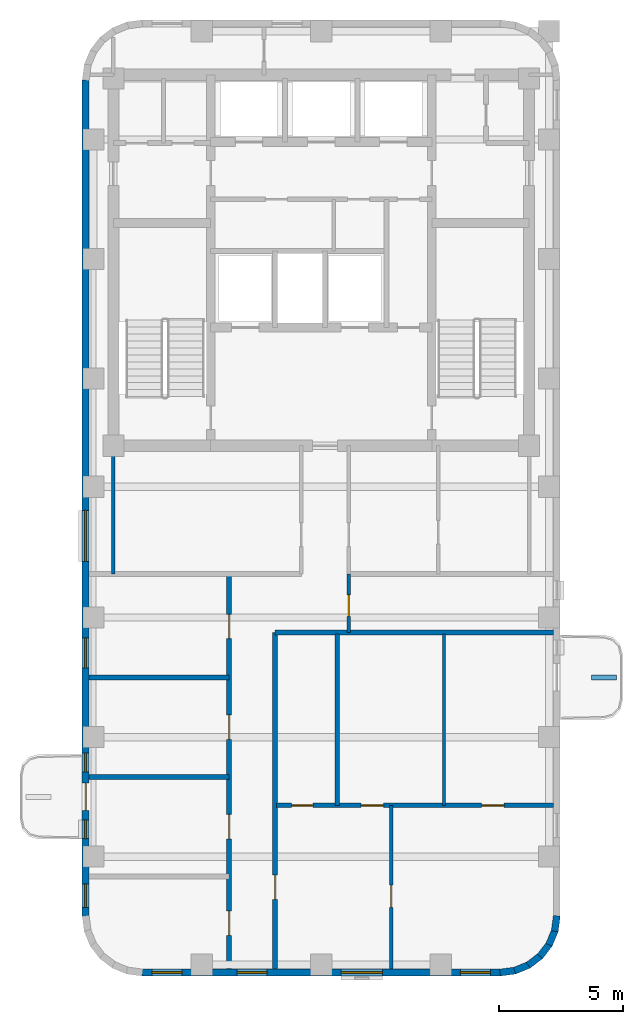
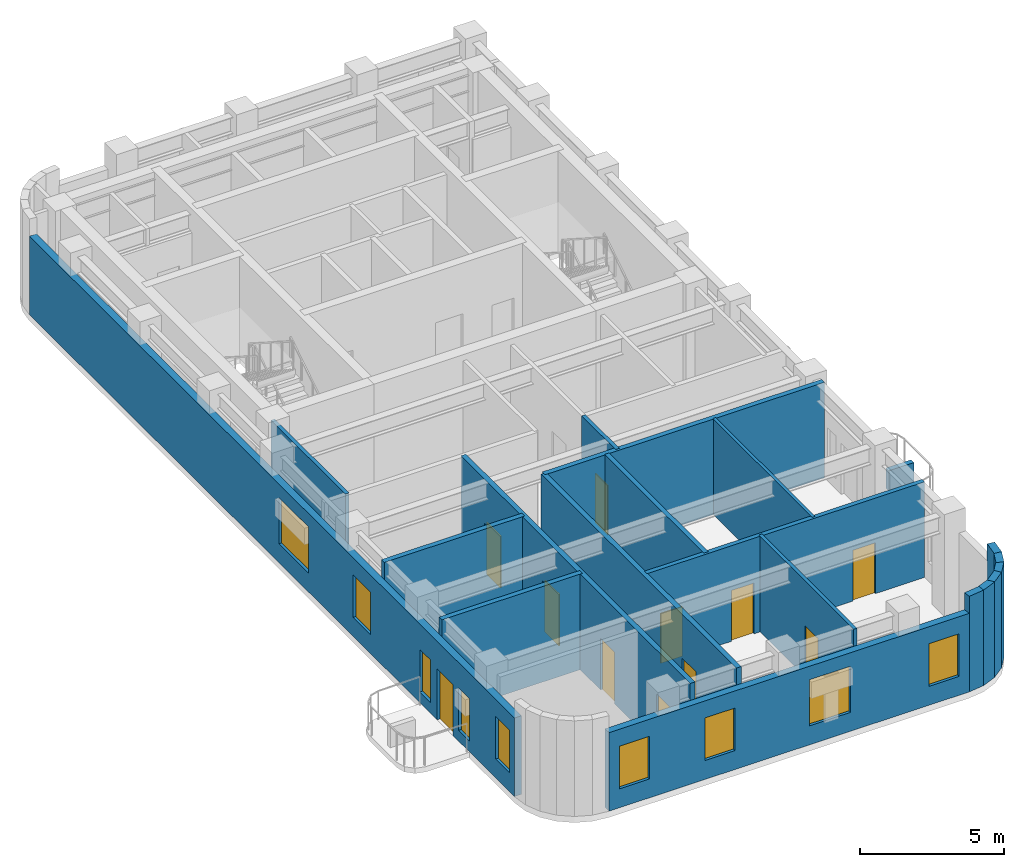
# One storey, part 2 of 6: 20 walls, 11 doors, 9 windows, 20 openings.
"""IFC4 building model written with IfcOpenShell, lengths in metres."""

import ifcopenshell
import ifcopenshell.guid

model = None  # the IFC model being written
_history = None  # IfcOwnerHistory: only IFC2X3 demands one
_inside = {}  # id of a spatial element -> (the spatial element, [elements in it])
_under = {}  # id of a project, library or spatial element -> (it, [spatial elements below it])
_declared = {}  # id of a project -> (the project, [libraries it declares])
_typed = {}  # id of a type object -> (the type object, [elements of that type])
_made_of = {}  # id of a material, layer set ... -> (it, [elements and type objects made of it])


def new_model(schema):
    """Start an empty IFC model of exactly this schema.

    Asked for "IFC4X3", IfcOpenShell would pick the latest addendum, in which some entities
    have other attributes; the version numbers below select the first issue.
    IFC2X3 requires an IfcOwnerHistory on every rooted entity: one is made here for all.
    """
    global model, _history
    if schema == "IFC4X3":
        model = ifcopenshell.file(schema_version=(4, 3, 0, 0))
    else:
        model = ifcopenshell.file(schema=schema)
    _inside.clear()
    _under.clear()
    _declared.clear()
    _typed.clear()
    _made_of.clear()
    _history = None
    if model.schema == "IFC2X3":
        org = make("IfcOrganization", Name="unknown")
        user = make(
            "IfcPersonAndOrganization",
            ThePerson=make("IfcPerson", FamilyName="unknown"),
            TheOrganization=org,
        )
        app = make(
            "IfcApplication",
            ApplicationDeveloper=org,
            Version="unknown",
            ApplicationFullName="unknown",
            ApplicationIdentifier="unknown",
        )
        _history = make(
            "IfcOwnerHistory",
            OwningUser=user,
            OwningApplication=app,
            ChangeAction="ADDED",
            CreationDate=0,
        )
    return model


def make(cls, **values):
    """One entity of the class cls with the attributes given. An attribute that is None is left unset."""
    return model.create_entity(
        cls, **{name: value for name, value in values.items() if value is not None}
    )


def rooted(cls, **values):
    """An entity with a GlobalId (a new one), such as an element, a storey or a relation."""
    return make(cls, GlobalId=ifcopenshell.guid.new(), OwnerHistory=_history, **values)


def si_unit(unit_type, name, prefix=None):
    """IfcSIUnit, for example si_unit("LENGTHUNIT", "METRE", prefix="MILLI")."""
    return make("IfcSIUnit", UnitType=unit_type, Prefix=prefix, Name=name)


def assignment(units):
    """IfcUnitAssignment: the units of a project."""
    return None if units is None else make("IfcUnitAssignment", Units=units)


def point(xyz):
    """IfcCartesianPoint."""
    return None if xyz is None else make("IfcCartesianPoint", Coordinates=xyz)


def direction(xyz):
    """IfcDirection."""
    return None if xyz is None else make("IfcDirection", DirectionRatios=xyz)


def frame(location, z_axis=None, x_axis=None):
    """IfcAxis2Placement3D, a coordinate frame: its origin and axes. An axis left out is left unset."""
    return make(
        "IfcAxis2Placement3D",
        Location=point(location),
        Axis=direction(z_axis),
        RefDirection=direction(x_axis),
    )


def frame_2d(location, x_axis=None):
    """IfcAxis2Placement2D, a coordinate frame in the plane: its origin and x axis."""
    return make(
        "IfcAxis2Placement2D", Location=point(location), RefDirection=direction(x_axis)
    )


def origin():
    """The frame at (0, 0, 0) with its axes left unset."""
    return frame((0.0, 0.0, 0.0))


def place(relative_to, where):
    """IfcLocalPlacement: puts the frame where relative to a parent placement (None: the world)."""
    return make(
        "IfcLocalPlacement", PlacementRelTo=relative_to, RelativePlacement=where
    )


def context(
    kind, dimensions, precision=None, world=None, true_north=None, identifier=None
):
    """IfcGeometricRepresentationContext, for example the 3D "Model" context."""
    return make(
        "IfcGeometricRepresentationContext",
        ContextIdentifier=identifier,
        ContextType=kind,
        CoordinateSpaceDimension=dimensions,
        Precision=precision,
        WorldCoordinateSystem=world,
        TrueNorth=true_north,
    )


def subcontext(parent, identifier, kind, view, scale=None):
    """IfcGeometricRepresentationSubContext, for example "Body" below "Model"."""
    return make(
        "IfcGeometricRepresentationSubContext",
        ContextIdentifier=identifier,
        ContextType=kind,
        ParentContext=parent,
        TargetScale=scale,
        TargetView=view,
    )


def project(units=None, contexts=None):
    """IfcProject with its units and contexts."""
    return rooted(
        "IfcProject",
        Name="project",
        RepresentationContexts=contexts,
        UnitsInContext=assignment(units),
    )


def spatial(cls, under=None, at=None, **own):
    """A site, building, storey or space (cls), placed at a placement, below another one or the project."""
    s = rooted(cls, ObjectPlacement=at, **own)
    if under is not None:
        _under.setdefault(under.id(), (under, []))[1].append(s)
    return s


def profile(cls, at=None, kind="AREA", **sizes):
    """A parametric profile (cls). Its sizes go by their IFC names, for example OverallWidth=200.0."""
    return make(cls, ProfileType=kind, Position=at, **sizes)


def rectangle(**sizes):
    """IfcRectangleProfileDef."""
    return profile("IfcRectangleProfileDef", **sizes)


def extrude(swept, where, along, depth):
    """IfcExtrudedAreaSolid: the profile swept, set in the frame where, extruded along a direction by depth."""
    return make(
        "IfcExtrudedAreaSolid",
        SweptArea=swept,
        Position=where,
        ExtrudedDirection=direction(along),
        Depth=depth,
    )


def shape(context_of_items, identifier, shape_type, items):
    """IfcShapeRepresentation: the items that make up one representation, for example the "Body"."""
    return make(
        "IfcShapeRepresentation",
        ContextOfItems=context_of_items,
        RepresentationIdentifier=identifier,
        RepresentationType=shape_type,
        Items=items,
    )


def material(Name=None, Category=None):
    """IfcMaterial."""
    return make("IfcMaterial", Name=Name, Category=Category)


def layer(
    of_material, thickness, ventilated=None, Name=None, Category=None, Priority=None
):
    """IfcMaterialLayer: one layer of a wall or slab, of a material (None: an air gap)."""
    return make(
        "IfcMaterialLayer",
        Material=of_material,
        LayerThickness=thickness,
        IsVentilated=ventilated,
        Name=Name,
        Category=Category,
        Priority=Priority,
    )


def layer_set(layers, Name=None):
    """IfcMaterialLayerSet."""
    return make("IfcMaterialLayerSet", MaterialLayers=layers, LayerSetName=Name)


def made_of(thing, what):
    """Note that an element or type object is made of a material, layer set ...; save() writes the relation."""
    if what is not None:
        _made_of.setdefault(what.id(), (what, []))[1].append(thing)
    return thing


def type_object(cls, material=None, **own):
    """A type object (cls), such as IfcWallType, which elements share."""
    return made_of(rooted(cls, **own), material)


def element(
    cls,
    number,
    at=None,
    inside=None,
    cuts=None,
    type_object=None,
    material=None,
    context=None,
    identifier="Body",
    shape_type=None,
    held_by="IfcProductDefinitionShape",
    body=None,
    shapes=None,
    **own,
):
    """One element of the class cls, such as IfcWall. Its Tag is "e" and its number.

    at: its placement. inside: the storey or other place that contains it. cuts: it is an
    opening in that element (IfcRelVoidsElement). A single representation is given by context,
    identifier, shape_type and body (its items); several are given by shapes. held_by: the class
    of the entity that holds the representations. save() writes the other relations.
    """
    e = rooted(cls, Tag="e%d" % number, ObjectPlacement=at, **own)
    if body is not None:
        shapes = [shape(context, identifier, shape_type, body)]
    if shapes is not None:
        e.Representation = make(held_by, Representations=shapes)
    if inside is not None:
        _inside.setdefault(inside.id(), (inside, []))[1].append(e)
    if cuts is not None:
        rooted(
            "IfcRelVoidsElement", RelatingBuildingElement=cuts, RelatedOpeningElement=e
        )
    if type_object is not None:
        _typed.setdefault(type_object.id(), (type_object, []))[1].append(e)
    return made_of(e, material)


def fill(opening, filler):
    """IfcRelFillsElement: the door or window that sits in an opening."""
    return rooted(
        "IfcRelFillsElement",
        RelatingOpeningElement=opening,
        RelatedBuildingElement=filler,
    )


def aggregate(whole, parts):
    """IfcRelAggregates: a whole, such as a stair, and the parts it consists of."""
    return rooted("IfcRelAggregates", RelatingObject=whole, RelatedObjects=parts)


def save(model, path):
    """Write the relations noted so far, then the file.

    IfcRelAggregates (storeys below a building ...), IfcRelContainedInSpatialStructure (elements
    in a storey), IfcRelDefinesByType, IfcRelAssociatesMaterial and IfcRelDeclares: one each for
    every whole, place, type object, material and project.
    """
    for whole, parts in _under.values():
        aggregate(whole, parts)
    for where, things in _inside.values():
        rooted(
            "IfcRelContainedInSpatialStructure",
            RelatedElements=things,
            RelatingStructure=where,
        )
    for kind, things in _typed.values():
        rooted("IfcRelDefinesByType", RelatedObjects=things, RelatingType=kind)
    for what, things in _made_of.values():
        rooted("IfcRelAssociatesMaterial", RelatedObjects=things, RelatingMaterial=what)
    for by, libraries in _declared.values():
        rooted("IfcRelDeclares", RelatingContext=by, RelatedDefinitions=libraries)
    model.write(path)


model = new_model("IFC4")

# Units and contexts
model_context = context("Model", 3, precision=1e-05, world=origin(), true_north=direction((0.0, 1.0)))
body_context = subcontext(model_context, "Body", "Model", "MODEL_VIEW")
ifc_project = project(units=[si_unit("LENGTHUNIT", "METRE"), si_unit("AREAUNIT", "SQUARE_METRE"), si_unit("VOLUMEUNIT", "CUBIC_METRE"), si_unit("PLANEANGLEUNIT", "RADIAN"), si_unit("MASSUNIT", "GRAM", prefix="KILO")], contexts=[model_context])

# Site, building, storey
site_placement = place(None, origin())
site = spatial("IfcSite", under=ifc_project, at=site_placement, CompositionType="ELEMENT")
building_placement = place(site_placement, origin())
building = spatial("IfcBuilding", under=site, at=building_placement, Name="Orvandelia Arch Residences", CompositionType="ELEMENT")
storey_placement = place(building_placement, frame((0.0, 0.0, 244.10009765625)))
storey = spatial("IfcBuildingStorey", under=building, at=storey_placement, Name="L64", CompositionType="ELEMENT", Elevation=244.10009765625)

# Wall, openings, doors
ifc_material_1 = material(Name="Fire-Rated Corridor Partition")
ifc_layer_1 = layer(ifc_material_1, 0.199951171875, Name="Fire-Rated Corridor Partition")
ifc_layer_set_1 = layer_set([ifc_layer_1], Name="Fire-Rated Corridor Partition")
wall_type_1 = type_object("IfcWallType", Name="WL-CORR-200", PredefinedType="PARTITIONING", material=ifc_layer_set_1)
wall_1_placement = place(storey_placement, frame((10.699951171875, 9.8798828125, 0.0), z_axis=(0.0, 0.0, 1.0), x_axis=(0.0, 1.0, 0.0)))
wall_1 = element("IfcWall", 1, at=wall_1_placement, inside=storey, type_object=wall_type_1, Name="Interior Partition Wall WL-L64-WC-W", PredefinedType="PARTITIONING", context=body_context, shape_type="SweptSolid", body=[
    extrude(rectangle(XDim=15.8701171875, YDim=0.199951171875, at=frame_2d((7.93505859375, 0.0))), origin(), (0.0, 0.0, 1.0), 4.039794921875),
])
opening_1_placement = place(wall_1_placement, frame((1.35009765625, 0.0, 0.0)))
opening_1 = element("IfcOpeningElement", 2, at=opening_1_placement, cuts=wall_1, Name="Opening D1", PredefinedType="OPENING", context=body_context, shape_type="SweptSolid", body=[
    extrude(rectangle(XDim=0.97998046875, YDim=2.179931640625, at=frame_2d((0.489990234375, 1.08984375))), frame((0.0, 0.10986328125, 0.0), z_axis=(0.0, -1.0, 0.0), x_axis=(1.0, 0.0, 0.0)), (0.0, 0.0, 1.0), 0.219970703125),
])
opening_2_placement = place(wall_1_placement, frame((5.22998046875, 0.0, 0.0)))
opening_2 = element("IfcOpeningElement", 3, at=opening_2_placement, cuts=wall_1, Name="Opening D1", PredefinedType="OPENING", context=body_context, shape_type="SweptSolid", body=[
    extrude(rectangle(XDim=0.97998046875, YDim=2.179931640625, at=frame_2d((0.489990234375, 1.08984375))), frame((0.0, 0.10986328125, 0.0), z_axis=(0.0, -1.0, 0.0), x_axis=(1.0, 0.0, 0.0)), (0.0, 0.0, 1.0), 0.219970703125),
])
opening_3_placement = place(wall_1_placement, frame((9.22998046875, 0.0, 0.0)))
opening_3 = element("IfcOpeningElement", 4, at=opening_3_placement, cuts=wall_1, Name="Opening D1", PredefinedType="OPENING", context=body_context, shape_type="SweptSolid", body=[
    extrude(rectangle(XDim=0.97998046875, YDim=2.179931640625, at=frame_2d((0.489990234375, 1.08984375))), frame((0.0, 0.10986328125, 0.0), z_axis=(0.0, -1.0, 0.0), x_axis=(1.0, 0.0, 0.0)), (0.0, 0.0, 1.0), 0.219970703125),
])
opening_4_placement = place(wall_1_placement, frame((13.27001953125, 0.0, 0.0)))
opening_4 = element("IfcOpeningElement", 5, at=opening_4_placement, cuts=wall_1, Name="Opening D1", PredefinedType="OPENING", context=body_context, shape_type="SweptSolid", body=[
    extrude(rectangle(XDim=0.97998046875, YDim=2.179931640625, at=frame_2d((0.489990234375, 1.08984375))), frame((0.0, 0.10986328125, 0.0), z_axis=(0.0, -1.0, 0.0), x_axis=(1.0, 0.0, 0.0)), (0.0, 0.0, 1.0), 0.219970703125),
])
ifc_material_2 = material(Name="Solid-Core Timber Acoustic Fire Door", Category="wood")
door_type_1 = type_object("IfcDoorType", Name="DR-ENT-980", OperationType="NOTDEFINED", PredefinedType="DOOR", material=ifc_material_2)
door_1_placement = place(opening_1_placement, origin())
door_1 = element("IfcDoor", 6, at=door_1_placement, inside=storey, type_object=door_type_1, Name="Unit L64-01 Study Door", OperationType="SINGLE_SWING_LEFT", OverallHeight=2.179931640625, OverallWidth=0.97998046875, PredefinedType="DOOR", context=body_context, shape_type="SweptSolid", body=[
    extrude(rectangle(XDim=0.97998046875, YDim=2.179931640625, at=frame_2d((0.489990234375, 1.08984375))), frame((0.0, 0.02490234375, 0.0), z_axis=(0.0, -1.0, 0.0), x_axis=(1.0, 0.0, 0.0)), (0.0, 0.0, 1.0), 0.050048828125),
])
fill(opening_1, door_1)
door_2_placement = place(opening_2_placement, origin())
door_2 = element("IfcDoor", 7, at=door_2_placement, inside=storey, type_object=door_type_1, Name="Unit L64-02 Study Door", OperationType="SINGLE_SWING_RIGHT", OverallHeight=2.179931640625, OverallWidth=0.97998046875, PredefinedType="DOOR", context=body_context, shape_type="SweptSolid", body=[
    extrude(rectangle(XDim=0.97998046875, YDim=2.179931640625, at=frame_2d((0.489990234375, 1.08984375))), frame((0.0, 0.02490234375, 0.0), z_axis=(0.0, -1.0, 0.0), x_axis=(1.0, 0.0, 0.0)), (0.0, 0.0, 1.0), 0.050048828125),
])
fill(opening_2, door_2)
door_3_placement = place(opening_3_placement, origin())
door_3 = element("IfcDoor", 8, at=door_3_placement, inside=storey, type_object=door_type_1, Name="Unit L64-03 Study Door", OperationType="SINGLE_SWING_LEFT", OverallHeight=2.179931640625, OverallWidth=0.97998046875, PredefinedType="DOOR", context=body_context, shape_type="SweptSolid", body=[
    extrude(rectangle(XDim=0.97998046875, YDim=2.179931640625, at=frame_2d((0.489990234375, 1.08984375))), frame((0.0, 0.02490234375, 0.0), z_axis=(0.0, -1.0, 0.0), x_axis=(1.0, 0.0, 0.0)), (0.0, 0.0, 1.0), 0.050048828125),
])
fill(opening_3, door_3)
door_4_placement = place(opening_4_placement, origin())
door_4 = element("IfcDoor", 9, at=door_4_placement, inside=storey, type_object=door_type_1, Name="Unit L64-04 Study Door", OperationType="SINGLE_SWING_RIGHT", OverallHeight=2.179931640625, OverallWidth=0.97998046875, PredefinedType="DOOR", context=body_context, shape_type="SweptSolid", body=[
    extrude(rectangle(XDim=0.97998046875, YDim=2.179931640625, at=frame_2d((0.489990234375, 1.08984375))), frame((0.0, 0.02490234375, 0.0), z_axis=(0.0, -1.0, 0.0), x_axis=(1.0, 0.0, 0.0)), (0.0, 0.0, 1.0), 0.050048828125),
])
fill(opening_4, door_4)

# Wall, opening, door
wall_2_placement = place(storey_placement, frame((12.550048828125, 9.8798828125, 0.0), z_axis=(0.0, 0.0, 1.0), x_axis=(0.0, 1.0, 0.0)))
wall_2 = element("IfcWall", 10, at=wall_2_placement, inside=storey, type_object=wall_type_1, Name="Interior Partition Wall WL-L64-WC-E", PredefinedType="PARTITIONING", context=body_context, shape_type="SweptSolid", body=[
    extrude(rectangle(XDim=13.52001953125, YDim=0.199951171875, at=frame_2d((6.760009765625, 0.0))), origin(), (0.0, 0.0, 1.0), 4.039794921875),
])
opening_5_placement = place(wall_2_placement, frame((2.7958984375, 0.0, 0.0)))
opening_5 = element("IfcOpeningElement", 11, at=opening_5_placement, cuts=wall_2, Name="Opening D1", PredefinedType="OPENING", context=body_context, shape_type="SweptSolid", body=[
    extrude(rectangle(XDim=0.97998046875, YDim=2.179931640625, at=frame_2d((0.489990234375, 1.08984375))), frame((0.0, 0.10986328125, 0.0), z_axis=(0.0, -1.0, 0.0), x_axis=(1.0, 0.0, 0.0)), (0.0, 0.0, 1.0), 0.219970703125),
])
door_5_placement = place(opening_5_placement, origin())
door_5 = element("IfcDoor", 12, at=door_5_placement, inside=storey, type_object=door_type_1, Name="Unit L64-05 Entrance Door", OperationType="SINGLE_SWING_LEFT", OverallHeight=2.179931640625, OverallWidth=0.97998046875, PredefinedType="DOOR", context=body_context, shape_type="SweptSolid", body=[
    extrude(rectangle(XDim=0.97998046875, YDim=2.179931640625, at=frame_2d((0.489990234375, 1.08984375))), frame((0.0, 0.02490234375, 0.0), z_axis=(0.0, -1.0, 0.0), x_axis=(1.0, 0.0, 0.0)), (0.0, 0.0, 1.0), 0.050048828125),
])
fill(opening_5, door_5)

# Walls
wall_3_placement = place(storey_placement, frame((12.550048828125, 23.39990234375, 0.0), z_axis=(0.0, 0.0, 1.0), x_axis=(1.0, 0.0, 0.0)))
element("IfcWall", 13, at=wall_3_placement, inside=storey, type_object=wall_type_1, Name="Interior Partition Wall WL-L64-WLNK-S", PredefinedType="PARTITIONING", context=body_context, shape_type="SweptSolid", body=[
    extrude(rectangle(XDim=11.169921875, YDim=0.199951171875, at=frame_2d((5.5849609375, 0.0))), origin(), (0.0, 0.0, 1.0), 4.039794921875),
])
ifc_material_3 = material(Name="Concrete C40/50", Category="concrete")
ifc_layer_2 = layer(ifc_material_3, 0.199951171875, Name="Concrete C40/50", Category="concrete")
ifc_layer_set_2 = layer_set([ifc_layer_2], Name="Concrete C40/50")
wall_type_2 = type_object("IfcWallType", Name="WL-DEM-200", PredefinedType="SOLIDWALL", material=ifc_layer_set_2)
for number, where, z_axis, x_axis, name in (
    (14, (5.080078125, 17.60009765625, 0.0), (0.0, 0.0, 1.0), (1.0, 0.0, 0.0), "Interior Partition Wall WL-L64-DEM-WL-176"),
    (15, (5.080078125, 21.60009765625, 0.0), (0.0, 0.0, 1.0), (1.0, 0.0, 0.0), "Interior Partition Wall WL-L64-DEM-WL-216"),
):
    element("IfcWall", number, at=place(storey_placement, frame(where, z_axis=z_axis, x_axis=x_axis)), inside=storey, type_object=wall_type_2, Name=name, PredefinedType="SOLIDWALL", context=body_context, shape_type="SweptSolid", body=[
        extrude(rectangle(XDim=5.619873046875, YDim=0.199951171875, at=frame_2d((2.81005859375, 0.0))), origin(), (0.0, 0.0, 1.0), 4.039794921875),
    ])
ifc_material_4 = material(Name="Precast concrete C40/50", Category="concrete")
ifc_layer_3 = layer(ifc_material_4, 0.280029296875, Name="Precast concrete C40/50", Category="concrete")
ifc_layer_set_3 = layer_set([ifc_layer_3], Name="Precast concrete C40/50")
wall_type_3 = type_object("IfcWallType", Name="WL-EXT-STONE-280", PredefinedType="STANDARD", material=ifc_layer_set_3)
for number, where, z_axis, x_axis, name in (
    (16, (23.861083984375, 12.018310546875, 0.0), (0.0, 0.0, 1.0), (-0.130555323746, -0.9914410257, 0.0), "Coral-Limestone Precast Facade Wall L64-015"),
    (17, (23.788818359375, 11.432373046875, 0.0), (0.0, 0.0, 1.0), (-0.382317370307, -0.924031075431, 0.0), "Coral-Limestone Precast Facade Wall L64-016"),
    (18, (23.5673828125, 10.88525390625, 0.0), (0.0, 0.0, 1.0), (-0.608693302629, -0.793405610854, 0.0), "Coral-Limestone Precast Facade Wall L64-017"),
    (19, (23.2119140625, 10.4140625, 0.0), (0.0, 0.0, 1.0), (-0.793405610854, -0.608693302629, 0.0), "Coral-Limestone Precast Facade Wall L64-018"),
    (20, (22.746337890625, 10.05078125, 0.0), (0.0, 0.0, 1.0), (-0.92389335771, -0.382650053678, 0.0), "Coral-Limestone Precast Facade Wall L64-019"),
    (21, (22.202880859375, 9.820556640625, 0.0), (0.0, 0.0, 1.0), (-0.9914410257, -0.130555323746, 0.0), "Coral-Limestone Precast Facade Wall L64-020"),
):
    element("IfcWall", number, at=place(storey_placement, frame(where, z_axis=z_axis, x_axis=x_axis)), inside=storey, type_object=wall_type_3, Name=name, PredefinedType="STANDARD", context=body_context, shape_type="SweptSolid", body=[
        extrude(rectangle(XDim=0.62646484375, YDim=0.280029296875, at=frame_2d((0.313232421875, 0.0))), origin(), (0.0, 0.0, 1.0), 4.039794921875),
    ])

# Wall, openings, windows
wall_4_placement = place(storey_placement, frame((21.60009765625, 9.739990234375, 0.0), z_axis=(0.0, 0.0, 1.0), x_axis=(-1.0, 0.0, 0.0)))
wall_4 = element("IfcWall", 22, at=wall_4_placement, inside=storey, type_object=wall_type_3, Name="Coral-Limestone Precast Facade Wall L64-021", PredefinedType="STANDARD", context=body_context, shape_type="SweptSolid", body=[
    extrude(rectangle(XDim=14.400146484375, YDim=0.280029296875, at=frame_2d((7.2001953125, 0.0))), origin(), (0.0, 0.0, 1.0), 3.31982421875),
])
opening_6_placement = place(wall_4_placement, frame((9.375, 0.0, 0.800048828125)))
opening_6 = element("IfcOpeningElement", 23, at=opening_6_placement, cuts=wall_4, Name="Opening W3", PredefinedType="OPENING", context=body_context, shape_type="SweptSolid", body=[
    extrude(rectangle(XDim=1.199951171875, YDim=1.800048828125, at=frame_2d((0.60009765625, 0.89990234375))), frame((0.0, 0.14990234375, 0.0), z_axis=(0.0, -1.0, 0.0), x_axis=(1.0, 0.0, 0.0)), (0.0, 0.0, 1.0), 0.300048828125),
])
opening_7_placement = place(wall_4_placement, frame((12.79248046875, 0.0, 0.800048828125)))
opening_7 = element("IfcOpeningElement", 24, at=opening_7_placement, cuts=wall_4, Name="Opening W3", PredefinedType="OPENING", context=body_context, shape_type="SweptSolid", body=[
    extrude(rectangle(XDim=1.199951171875, YDim=1.800048828125, at=frame_2d((0.60009765625, 0.89990234375))), frame((0.0, 0.14990234375, 0.0), z_axis=(0.0, -1.0, 0.0), x_axis=(1.0, 0.0, 0.0)), (0.0, 0.0, 1.0), 0.300048828125),
])
opening_8_placement = place(wall_4_placement, frame((4.7490234375, 0.0, 0.800048828125)))
opening_8 = element("IfcOpeningElement", 25, at=opening_8_placement, cuts=wall_4, Name="Opening W9", PredefinedType="OPENING", context=body_context, shape_type="SweptSolid", body=[
    extrude(rectangle(XDim=1.64990234375, YDim=1.949951171875, at=frame_2d((0.824951171875, 0.97509765625))), frame((0.0, 0.14990234375, 0.0), z_axis=(0.0, -1.0, 0.0), x_axis=(1.0, 0.0, 0.0)), (0.0, 0.0, 1.0), 0.300048828125),
])
opening_9_placement = place(wall_4_placement, frame((0.407470703125, 0.0, 0.800048828125)))
opening_9 = element("IfcOpeningElement", 26, at=opening_9_placement, cuts=wall_4, Name="Opening W3", PredefinedType="OPENING", context=body_context, shape_type="SweptSolid", body=[
    extrude(rectangle(XDim=1.199951171875, YDim=1.800048828125, at=frame_2d((0.60009765625, 0.89990234375))), frame((0.0, 0.14990234375, 0.0), z_axis=(0.0, -1.0, 0.0), x_axis=(1.0, 0.0, 0.0)), (0.0, 0.0, 1.0), 0.300048828125),
])
ifc_material_5 = material(Name="Tempered Low-E Insulated Glazing", Category="glass")
window_type_1 = type_object("IfcWindowType", Name="WIN-RES-1200x1800", PartitioningType="SINGLE_PANEL", PredefinedType="WINDOW", material=ifc_material_5)
window_1_placement = place(opening_6_placement, origin())
window_1 = element("IfcWindow", 27, at=window_1_placement, inside=storey, type_object=window_type_1, Name="Recessed Punched Window L64-007", OverallHeight=1.800048828125, OverallWidth=1.199951171875, PartitioningType="SINGLE_PANEL", PredefinedType="WINDOW", context=body_context, shape_type="SweptSolid", body=[
    extrude(rectangle(XDim=1.199951171875, YDim=1.800048828125, at=frame_2d((0.60009765625, 0.89990234375))), frame((0.0, 0.030029296875, 0.0), z_axis=(0.0, -1.0, 0.0), x_axis=(1.0, 0.0, 0.0)), (0.0, 0.0, 1.0), 0.06005859375),
])
fill(opening_6, window_1)
window_2_placement = place(opening_7_placement, origin())
window_2 = element("IfcWindow", 28, at=window_2_placement, inside=storey, type_object=window_type_1, Name="Recessed Punched Window L64-008", OverallHeight=1.800048828125, OverallWidth=1.199951171875, PartitioningType="SINGLE_PANEL", PredefinedType="WINDOW", context=body_context, shape_type="SweptSolid", body=[
    extrude(rectangle(XDim=1.199951171875, YDim=1.800048828125, at=frame_2d((0.60009765625, 0.89990234375))), frame((0.0, 0.030029296875, 0.0), z_axis=(0.0, -1.0, 0.0), x_axis=(1.0, 0.0, 0.0)), (0.0, 0.0, 1.0), 0.06005859375),
])
fill(opening_7, window_2)
window_3_placement = place(opening_9_placement, origin())
window_3 = element("IfcWindow", 29, at=window_3_placement, inside=storey, type_object=window_type_1, Name="Recessed Punched Window L64-010", OverallHeight=1.800048828125, OverallWidth=1.199951171875, PartitioningType="SINGLE_PANEL", PredefinedType="WINDOW", context=body_context, shape_type="SweptSolid", body=[
    extrude(rectangle(XDim=1.199951171875, YDim=1.800048828125, at=frame_2d((0.60009765625, 0.89990234375))), frame((0.0, 0.030029296875, 0.0), z_axis=(0.0, -1.0, 0.0), x_axis=(1.0, 0.0, 0.0)), (0.0, 0.0, 1.0), 0.06005859375),
])
fill(opening_9, window_3)
window_type_2 = type_object("IfcWindowType", Name="WIN-UPP-1650x1950", PartitioningType="SINGLE_PANEL", PredefinedType="WINDOW", material=ifc_material_5)
window_4_placement = place(opening_8_placement, origin())
window_4 = element("IfcWindow", 30, at=window_4_placement, inside=storey, type_object=window_type_2, Name="Recessed Punched Window L64-009", OverallHeight=1.949951171875, OverallWidth=1.64990234375, PartitioningType="SINGLE_PANEL", PredefinedType="WINDOW", context=body_context, shape_type="SweptSolid", body=[
    extrude(rectangle(XDim=1.64990234375, YDim=1.949951171875, at=frame_2d((0.824951171875, 0.97509765625))), frame((0.0, 0.030029296875, 0.0), z_axis=(0.0, -1.0, 0.0), x_axis=(1.0, 0.0, 0.0)), (0.0, 0.0, 1.0), 0.06005859375),
])
fill(opening_8, window_4)

# Wall, openings, door, windows
wall_5_placement = place(storey_placement, frame((4.93994140625, 12.0, 0.0), z_axis=(0.0, 0.0, 1.0), x_axis=(0.0, 1.0, 0.0)))
wall_5 = element("IfcWall", 31, at=wall_5_placement, inside=storey, type_object=wall_type_3, Name="Coral-Limestone Precast Facade Wall L64-028", PredefinedType="STANDARD", context=body_context, shape_type="SweptSolid", body=[
    extrude(rectangle(XDim=33.60009765625, YDim=0.280029296875, at=frame_2d((16.800048828125, 0.0))), origin(), (0.0, 0.0, 1.0), 3.31982421875),
])
opening_10_placement = place(wall_5_placement, frame((4.25, 0.0, 0.0)))
opening_10 = element("IfcOpeningElement", 32, at=opening_10_placement, cuts=wall_5, Name="Opening BD1", PredefinedType="OPENING", context=body_context, shape_type="SweptSolid", body=[
    extrude(rectangle(XDim=1.10009765625, YDim=2.14990234375, at=frame_2d((0.550048828125, 1.074951171875))), frame((0.0, 0.14990234375, 0.0), z_axis=(0.0, -1.0, 0.0), x_axis=(1.0, 0.0, 0.0)), (0.0, 0.0, 1.0), 0.300048828125),
])
opening_11_placement = place(wall_5_placement, frame((0.35498046875, 0.0, 0.800048828125)))
opening_11 = element("IfcOpeningElement", 33, at=opening_11_placement, cuts=wall_5, Name="Opening W4", PredefinedType="OPENING", context=body_context, shape_type="SweptSolid", body=[
    extrude(rectangle(XDim=0.949951171875, YDim=1.800048828125, at=frame_2d((0.47509765625, 0.89990234375))), frame((0.0, 0.14990234375, 0.0), z_axis=(0.0, -1.0, 0.0), x_axis=(1.0, 0.0, 0.0)), (0.0, 0.0, 1.0), 0.300048828125),
])
opening_12_placement = place(wall_5_placement, frame((3.12255859375, 0.0, 0.449951171875)))
opening_12 = element("IfcOpeningElement", 34, at=opening_12_placement, cuts=wall_5, Name="Opening W11", PredefinedType="OPENING", context=body_context, shape_type="SweptSolid", body=[
    extrude(rectangle(XDim=0.75, YDim=1.800048828125, at=frame_2d((0.375, 0.89990234375))), frame((0.0, 0.14990234375, 0.0), z_axis=(0.0, -1.0, 0.0), x_axis=(1.0, 0.0, 0.0)), (0.0, 0.0, 1.0), 0.300048828125),
])
opening_13_placement = place(wall_5_placement, frame((5.802490234375, 0.0, 0.449951171875)))
opening_13 = element("IfcOpeningElement", 35, at=opening_13_placement, cuts=wall_5, Name="Opening W11", PredefinedType="OPENING", context=body_context, shape_type="SweptSolid", body=[
    extrude(rectangle(XDim=0.75, YDim=1.800048828125, at=frame_2d((0.375, 0.89990234375))), frame((0.0, 0.14990234375, 0.0), z_axis=(0.0, -1.0, 0.0), x_axis=(1.0, 0.0, 0.0)), (0.0, 0.0, 1.0), 0.300048828125),
])
opening_14_placement = place(wall_5_placement, frame((9.9775390625, 0.0, 0.800048828125)))
opening_14 = element("IfcOpeningElement", 36, at=opening_14_placement, cuts=wall_5, Name="Opening W3", PredefinedType="OPENING", context=body_context, shape_type="SweptSolid", body=[
    extrude(rectangle(XDim=1.199951171875, YDim=1.800048828125, at=frame_2d((0.60009765625, 0.89990234375))), frame((0.0, 0.14990234375, 0.0), z_axis=(0.0, -1.0, 0.0), x_axis=(1.0, 0.0, 0.0)), (0.0, 0.0, 1.0), 0.300048828125),
])
opening_15_placement = place(wall_5_placement, frame((14.257568359375, 0.0, 0.800048828125)))
opening_15 = element("IfcOpeningElement", 37, at=opening_15_placement, cuts=wall_5, Name="Opening W8", PredefinedType="OPENING", context=body_context, shape_type="SweptSolid", body=[
    extrude(rectangle(XDim=2.050048828125, YDim=1.949951171875, at=frame_2d((1.02490234375, 0.97509765625))), frame((0.0, 0.14990234375, 0.0), z_axis=(0.0, -1.0, 0.0), x_axis=(1.0, 0.0, 0.0)), (0.0, 0.0, 1.0), 0.300048828125),
])
ifc_material_6 = material(Name="Thermally Broken Aluminium Glazed Door", Category="aluminium")
door_type_2 = type_object("IfcDoorType", Name="DR-BAL-GLAZ-1100", OperationType="NOTDEFINED", PredefinedType="DOOR", material=ifc_material_6)
door_6_placement = place(opening_10_placement, origin())
door_6 = element("IfcDoor", 38, at=door_6_placement, inside=storey, type_object=door_type_2, Name="Tree Balcony Glazed Door BAL-L64-W1", OperationType="SINGLE_SWING_RIGHT", OverallHeight=2.14990234375, OverallWidth=1.10009765625, PredefinedType="DOOR", context=body_context, shape_type="SweptSolid", body=[
    extrude(rectangle(XDim=1.10009765625, YDim=2.14990234375, at=frame_2d((0.550048828125, 1.074951171875))), frame((0.0, 0.02490234375, 0.0), z_axis=(0.0, -1.0, 0.0), x_axis=(1.0, 0.0, 0.0)), (0.0, 0.0, 1.0), 0.050048828125),
])
fill(opening_10, door_6)
window_type_3 = type_object("IfcWindowType", Name="WIN-BED-0750x1800", PartitioningType="SINGLE_PANEL", PredefinedType="WINDOW", material=ifc_material_5)
window_5_placement = place(opening_12_placement, origin())
window_5 = element("IfcWindow", 39, at=window_5_placement, inside=storey, type_object=window_type_3, Name="Recessed Punched Window L64-012", OverallHeight=1.800048828125, OverallWidth=0.75, PartitioningType="SINGLE_PANEL", PredefinedType="WINDOW", context=body_context, shape_type="SweptSolid", body=[
    extrude(rectangle(XDim=0.75, YDim=1.800048828125, at=frame_2d((0.375, 0.89990234375))), frame((0.0, 0.030029296875, 0.0), z_axis=(0.0, -1.0, 0.0), x_axis=(1.0, 0.0, 0.0)), (0.0, 0.0, 1.0), 0.06005859375),
])
fill(opening_12, window_5)
window_6_placement = place(opening_13_placement, origin())
window_6 = element("IfcWindow", 40, at=window_6_placement, inside=storey, type_object=window_type_3, Name="Recessed Punched Window L64-013", OverallHeight=1.800048828125, OverallWidth=0.75, PartitioningType="SINGLE_PANEL", PredefinedType="WINDOW", context=body_context, shape_type="SweptSolid", body=[
    extrude(rectangle(XDim=0.75, YDim=1.800048828125, at=frame_2d((0.375, 0.89990234375))), frame((0.0, 0.030029296875, 0.0), z_axis=(0.0, -1.0, 0.0), x_axis=(1.0, 0.0, 0.0)), (0.0, 0.0, 1.0), 0.06005859375),
])
fill(opening_13, window_6)
window_type_4 = type_object("IfcWindowType", Name="WIN-RES-0950x1800", PartitioningType="SINGLE_PANEL", PredefinedType="WINDOW", material=ifc_material_5)
window_7_placement = place(opening_11_placement, origin())
window_7 = element("IfcWindow", 41, at=window_7_placement, inside=storey, type_object=window_type_4, Name="Recessed Punched Window L64-011", OverallHeight=1.800048828125, OverallWidth=0.949951171875, PartitioningType="SINGLE_PANEL", PredefinedType="WINDOW", context=body_context, shape_type="SweptSolid", body=[
    extrude(rectangle(XDim=0.949951171875, YDim=1.800048828125, at=frame_2d((0.47509765625, 0.89990234375))), frame((0.0, 0.030029296875, 0.0), z_axis=(0.0, -1.0, 0.0), x_axis=(1.0, 0.0, 0.0)), (0.0, 0.0, 1.0), 0.06005859375),
])
fill(opening_11, window_7)
window_8_placement = place(opening_14_placement, origin())
window_8 = element("IfcWindow", 42, at=window_8_placement, inside=storey, type_object=window_type_1, Name="Recessed Punched Window L64-014", OverallHeight=1.800048828125, OverallWidth=1.199951171875, PartitioningType="SINGLE_PANEL", PredefinedType="WINDOW", context=body_context, shape_type="SweptSolid", body=[
    extrude(rectangle(XDim=1.199951171875, YDim=1.800048828125, at=frame_2d((0.60009765625, 0.89990234375))), frame((0.0, 0.030029296875, 0.0), z_axis=(0.0, -1.0, 0.0), x_axis=(1.0, 0.0, 0.0)), (0.0, 0.0, 1.0), 0.06005859375),
])
fill(opening_14, window_8)
window_type_5 = type_object("IfcWindowType", Name="WIN-UPP-2050x1950", PartitioningType="SINGLE_PANEL", PredefinedType="WINDOW", material=ifc_material_5)
window_9_placement = place(opening_15_placement, origin())
window_9 = element("IfcWindow", 43, at=window_9_placement, inside=storey, type_object=window_type_5, Name="Recessed Punched Window L64-015", OverallHeight=1.949951171875, OverallWidth=2.050048828125, PartitioningType="SINGLE_PANEL", PredefinedType="WINDOW", context=body_context, shape_type="SweptSolid", body=[
    extrude(rectangle(XDim=2.050048828125, YDim=1.949951171875, at=frame_2d((1.02490234375, 0.97509765625))), frame((0.0, 0.030029296875, 0.0), z_axis=(0.0, -1.0, 0.0), x_axis=(1.0, 0.0, 0.0)), (0.0, 0.0, 1.0), 0.06005859375),
])
fill(opening_15, window_9)

# Wall
ifc_material_7 = material(Name="Lightweight Gypsum Stud Partition")
ifc_layer_4 = layer(ifc_material_7, 0.1201171875, Name="Lightweight Gypsum Stud Partition")
ifc_layer_set_4 = layer_set([ifc_layer_4], Name="Lightweight Gypsum Stud Partition")
wall_type_4 = type_object("IfcWallType", Name="WL-PART-120", PredefinedType="PARTITIONING", material=ifc_layer_set_4)
wall_6_placement = place(storey_placement, frame((19.3330078125, 16.451904296875, 0.0), z_axis=(0.0, 0.0, 1.0), x_axis=(0.0, 1.0, 0.0)))
element("IfcWall", 44, at=wall_6_placement, inside=storey, type_object=wall_type_4, Name="Interior Partition Wall WL-L64-U05-V2", PredefinedType="PARTITIONING", context=body_context, shape_type="SweptSolid", body=[
    extrude(rectangle(XDim=6.88818359375, YDim=0.1201171875, at=frame_2d((3.444091796875, 0.0))), origin(), (0.0, 0.0, 1.0), 4.039794921875),
])

# Wall, opening, door
ifc_material_8 = material(Name="Double-Layer Acoustic Gypsum Partition")
ifc_layer_5 = layer(ifc_material_8, 0.135009765625, Name="Double-Layer Acoustic Gypsum Partition")
ifc_layer_set_5 = layer_set([ifc_layer_5], Name="Double-Layer Acoustic Gypsum Partition")
wall_type_5 = type_object("IfcWallType", Name="WL-PART-135", PredefinedType="PARTITIONING", material=ifc_layer_set_5)
wall_7_placement = place(storey_placement, frame((17.20703125, 9.8798828125, 0.0), z_axis=(0.0, 0.0, 1.0), x_axis=(0.0, 1.0, 0.0)))
wall_7 = element("IfcWall", 45, at=wall_7_placement, inside=storey, type_object=wall_type_5, Name="Interior Partition Wall WL-L64-U05-DIN", PredefinedType="PARTITIONING", context=body_context, shape_type="SweptSolid", body=[
    extrude(rectangle(XDim=6.572021484375, YDim=0.135009765625, at=frame_2d((3.2861328125, 0.0))), origin(), (0.0, 0.0, 1.0), 4.039794921875),
])
opening_16_placement = place(wall_7_placement, frame((2.472412109375, 0.0, 0.0)))
opening_16 = element("IfcOpeningElement", 46, at=opening_16_placement, cuts=wall_7, Name="Opening D3", PredefinedType="OPENING", context=body_context, shape_type="SweptSolid", body=[
    extrude(rectangle(XDim=0.89990234375, YDim=2.14990234375, at=frame_2d((0.449951171875, 1.074951171875))), frame((0.0, 0.07763671875, 0.0), z_axis=(0.0, -1.0, 0.0), x_axis=(1.0, 0.0, 0.0)), (0.0, 0.0, 1.0), 0.155029296875),
])
ifc_material_9 = material(Name="Engineered Timber Flush Door", Category="wood")
door_type_3 = type_object("IfcDoorType", Name="DR-INT-900", OperationType="NOTDEFINED", PredefinedType="DOOR", material=ifc_material_9)
door_7_placement = place(opening_16_placement, origin())
door_7 = element("IfcDoor", 47, at=door_7_placement, inside=storey, type_object=door_type_3, Name="DR-L64-U05-DIN", OperationType="SINGLE_SWING_RIGHT", OverallHeight=2.14990234375, OverallWidth=0.89990234375, PredefinedType="DOOR", context=body_context, shape_type="SweptSolid", body=[
    extrude(rectangle(XDim=0.89990234375, YDim=2.14990234375, at=frame_2d((0.449951171875, 1.074951171875))), frame((0.0, 0.02490234375, 0.0), z_axis=(0.0, -1.0, 0.0), x_axis=(1.0, 0.0, 0.0)), (0.0, 0.0, 1.0), 0.050048828125),
])
fill(opening_16, door_7)

# Wall
ifc_material_10 = material(Name="Acoustic Gypsum Stud Partition")
ifc_layer_6 = layer(ifc_material_10, 0.14990234375, Name="Acoustic Gypsum Stud Partition")
ifc_layer_set_6 = layer_set([ifc_layer_6], Name="Acoustic Gypsum Stud Partition")
wall_type_6 = type_object("IfcWallType", Name="WL-PART-150", PredefinedType="PARTITIONING", material=ifc_layer_set_6)
wall_8_placement = place(storey_placement, frame((6.050048828125, 25.75, 0.0), z_axis=(0.0, 0.0, 1.0), x_axis=(0.0, 1.0, 0.0)))
element("IfcWall", 48, at=wall_8_placement, inside=storey, type_object=wall_type_6, Name="Interior Partition Wall WL-L64-HI-WW", PredefinedType="PARTITIONING", context=body_context, shape_type="SweptSolid", body=[
    extrude(rectangle(XDim=5.14990234375, YDim=0.14990234375, at=frame_2d((2.574951171875, 0.0))), origin(), (0.0, 0.0, 1.0), 4.039794921875),
])

# Wall, opening, door
wall_9_placement = place(storey_placement, frame((15.5, 23.39990234375, 0.0), z_axis=(0.0, 0.0, 1.0), x_axis=(0.0, 1.0, 0.0)))
wall_9 = element("IfcWall", 49, at=wall_9_placement, inside=storey, type_object=wall_type_6, Name="Interior Partition Wall WL-L64-WLNK-E", PredefinedType="PARTITIONING", context=body_context, shape_type="SweptSolid", body=[
    extrude(rectangle(XDim=2.35009765625, YDim=0.14990234375, at=frame_2d((1.175048828125, 0.0))), origin(), (0.0, 0.0, 1.0), 4.039794921875),
])
opening_17_placement = place(wall_9_placement, frame((0.64990234375, 0.0, 0.0)))
opening_17 = element("IfcOpeningElement", 50, at=opening_17_placement, cuts=wall_9, Name="Opening D4", PredefinedType="OPENING", context=body_context, shape_type="SweptSolid", body=[
    extrude(rectangle(XDim=0.860107421875, YDim=2.10009765625, at=frame_2d((0.43017578125, 1.050048828125))), frame((0.0, 0.0849609375, 0.0), z_axis=(0.0, -1.0, 0.0), x_axis=(1.0, 0.0, 0.0)), (0.0, 0.0, 1.0), 0.169921875),
])
ifc_material_11 = material(Name="Moisture-Sealed Timber Bathroom Door", Category="wood")
door_type_4 = type_object("IfcDoorType", Name="DR-WET-900", OperationType="NOTDEFINED", PredefinedType="DOOR", material=ifc_material_11)
door_8_placement = place(opening_17_placement, origin())
door_8 = element("IfcDoor", 51, at=door_8_placement, inside=storey, type_object=door_type_4, Name="DR-L64-WLNKST", OperationType="SINGLE_SWING_RIGHT", OverallHeight=2.10009765625, OverallWidth=0.860107421875, PredefinedType="DOOR", context=body_context, shape_type="SweptSolid", body=[
    extrude(rectangle(XDim=0.860107421875, YDim=2.10009765625, at=frame_2d((0.43017578125, 1.050048828125))), frame((0.0, 0.02490234375, 0.0), z_axis=(0.0, -1.0, 0.0), x_axis=(1.0, 0.0, 0.0)), (0.0, 0.0, 1.0), 0.050048828125),
])
fill(opening_17, door_8)

# Wall
ifc_layer_7 = layer(ifc_material_4, 0.199951171875, Name="Precast concrete C40/50", Category="concrete")
ifc_layer_set_7 = layer_set([ifc_layer_7], Name="Precast concrete C40/50")
wall_type_7 = type_object("IfcWallType", Name="WL-PLANTER-200", PredefinedType="MOVABLE", material=ifc_layer_set_7)
wall_10_placement = place(storey_placement, frame((25.25, 21.60009765625, 0.0), z_axis=(0.0, 0.0, 1.0), x_axis=(1.0, 0.0, 0.0)))
element("IfcWall", 52, at=wall_10_placement, inside=storey, type_object=wall_type_7, Name="Balcony Precast Tree Planter BAL-L64-W2", PredefinedType="MOVABLE", context=body_context, shape_type="SweptSolid", body=[
    extrude(rectangle(XDim=1.0, YDim=0.199951171875, at=frame_2d((0.5, 0.0))), origin(), (0.0, 0.0, 1.0), 0.849853515625),
])

# Wall, openings, doors
ifc_material_12 = material(Name="Moisture-Resistant Plumbing Wall")
ifc_layer_8 = layer(ifc_material_12, 0.179931640625, Name="Moisture-Resistant Plumbing Wall")
ifc_layer_set_8 = layer_set([ifc_layer_8], Name="Moisture-Resistant Plumbing Wall")
wall_type_8 = type_object("IfcWallType", Name="WL-WET-180", PredefinedType="PLUMBINGWALL", material=ifc_layer_set_8)
wall_11_placement = place(storey_placement, frame((12.610107421875, 16.451904296875, 0.0), z_axis=(0.0, 0.0, 1.0), x_axis=(1.0, 0.0, 0.0)))
wall_11 = element("IfcWall", 53, at=wall_11_placement, inside=storey, type_object=wall_type_8, Name="Interior Partition Wall WL-L64-U05-HZ", PredefinedType="PLUMBINGWALL", context=body_context, shape_type="SweptSolid", body=[
    extrude(rectangle(XDim=11.10986328125, YDim=0.179931640625, at=frame_2d((5.554931640625, 0.0))), origin(), (0.0, 0.0, 1.0), 4.039794921875),
])
opening_18_placement = place(wall_11_placement, frame((0.595703125, 0.0, 0.0)))
opening_18 = element("IfcOpeningElement", 54, at=opening_18_placement, cuts=wall_11, Name="Opening D4", PredefinedType="OPENING", context=body_context, shape_type="SweptSolid", body=[
    extrude(rectangle(XDim=0.860107421875, YDim=2.10009765625, at=frame_2d((0.43017578125, 1.050048828125))), frame((0.0, 0.10009765625, 0.0), z_axis=(0.0, -1.0, 0.0), x_axis=(1.0, 0.0, 0.0)), (0.0, 0.0, 1.0), 0.199951171875),
])
opening_19_placement = place(wall_11_placement, frame((3.39111328125, 0.0, 0.0)))
opening_19 = element("IfcOpeningElement", 55, at=opening_19_placement, cuts=wall_11, Name="Opening D3", PredefinedType="OPENING", context=body_context, shape_type="SweptSolid", body=[
    extrude(rectangle(XDim=0.89990234375, YDim=2.14990234375, at=frame_2d((0.449951171875, 1.074951171875))), frame((0.0, 0.10009765625, 0.0), z_axis=(0.0, -1.0, 0.0), x_axis=(1.0, 0.0, 0.0)), (0.0, 0.0, 1.0), 0.199951171875),
])
opening_20_placement = place(wall_11_placement, frame((8.233642578125, 0.0, 0.0)))
opening_20 = element("IfcOpeningElement", 56, at=opening_20_placement, cuts=wall_11, Name="Opening D3", PredefinedType="OPENING", context=body_context, shape_type="SweptSolid", body=[
    extrude(rectangle(XDim=0.89990234375, YDim=2.14990234375, at=frame_2d((0.449951171875, 1.074951171875))), frame((0.0, 0.10009765625, 0.0), z_axis=(0.0, -1.0, 0.0), x_axis=(1.0, 0.0, 0.0)), (0.0, 0.0, 1.0), 0.199951171875),
])
door_9_placement = place(opening_19_placement, origin())
door_9 = element("IfcDoor", 57, at=door_9_placement, inside=storey, type_object=door_type_3, Name="DR-L64-U05-KIT", OperationType="SINGLE_SWING_LEFT", OverallHeight=2.14990234375, OverallWidth=0.89990234375, PredefinedType="DOOR", context=body_context, shape_type="SweptSolid", body=[
    extrude(rectangle(XDim=0.89990234375, YDim=2.14990234375, at=frame_2d((0.449951171875, 1.074951171875))), frame((0.0, 0.02490234375, 0.0), z_axis=(0.0, -1.0, 0.0), x_axis=(1.0, 0.0, 0.0)), (0.0, 0.0, 1.0), 0.050048828125),
])
fill(opening_19, door_9)
door_10_placement = place(opening_20_placement, origin())
door_10 = element("IfcDoor", 58, at=door_10_placement, inside=storey, type_object=door_type_3, Name="DR-L64-U05-BD1", OperationType="SINGLE_SWING_RIGHT", OverallHeight=2.14990234375, OverallWidth=0.89990234375, PredefinedType="DOOR", context=body_context, shape_type="SweptSolid", body=[
    extrude(rectangle(XDim=0.89990234375, YDim=2.14990234375, at=frame_2d((0.449951171875, 1.074951171875))), frame((0.0, 0.02490234375, 0.0), z_axis=(0.0, -1.0, 0.0), x_axis=(1.0, 0.0, 0.0)), (0.0, 0.0, 1.0), 0.050048828125),
])
fill(opening_20, door_10)
door_11_placement = place(opening_18_placement, origin())
door_11 = element("IfcDoor", 59, at=door_11_placement, inside=storey, type_object=door_type_4, Name="DR-L64-U05-BTH", OperationType="SINGLE_SWING_RIGHT", OverallHeight=2.10009765625, OverallWidth=0.860107421875, PredefinedType="DOOR", context=body_context, shape_type="SweptSolid", body=[
    extrude(rectangle(XDim=0.860107421875, YDim=2.10009765625, at=frame_2d((0.43017578125, 1.050048828125))), frame((0.0, 0.02490234375, 0.0), z_axis=(0.0, -1.0, 0.0), x_axis=(1.0, 0.0, 0.0)), (0.0, 0.0, 1.0), 0.050048828125),
])
fill(opening_18, door_11)

# Wall
wall_12_placement = place(storey_placement, frame((15.033935546875, 16.451904296875, 0.0), z_axis=(0.0, 0.0, 1.0), x_axis=(0.0, 1.0, 0.0)))
element("IfcWall", 60, at=wall_12_placement, inside=storey, type_object=wall_type_8, Name="Interior Partition Wall WL-L64-U05-V1", PredefinedType="PLUMBINGWALL", context=body_context, shape_type="SweptSolid", body=[
    extrude(rectangle(XDim=6.88818359375, YDim=0.179931640625, at=frame_2d((3.444091796875, 0.0))), origin(), (0.0, 0.0, 1.0), 4.039794921875),
])

save(model, "model.ifc")
